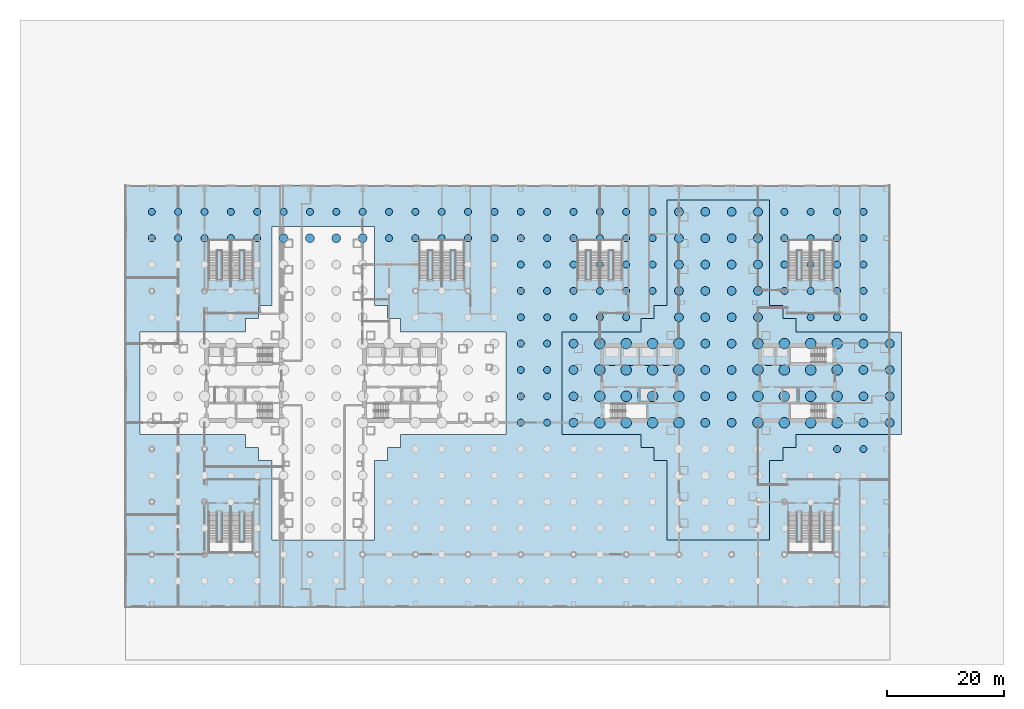
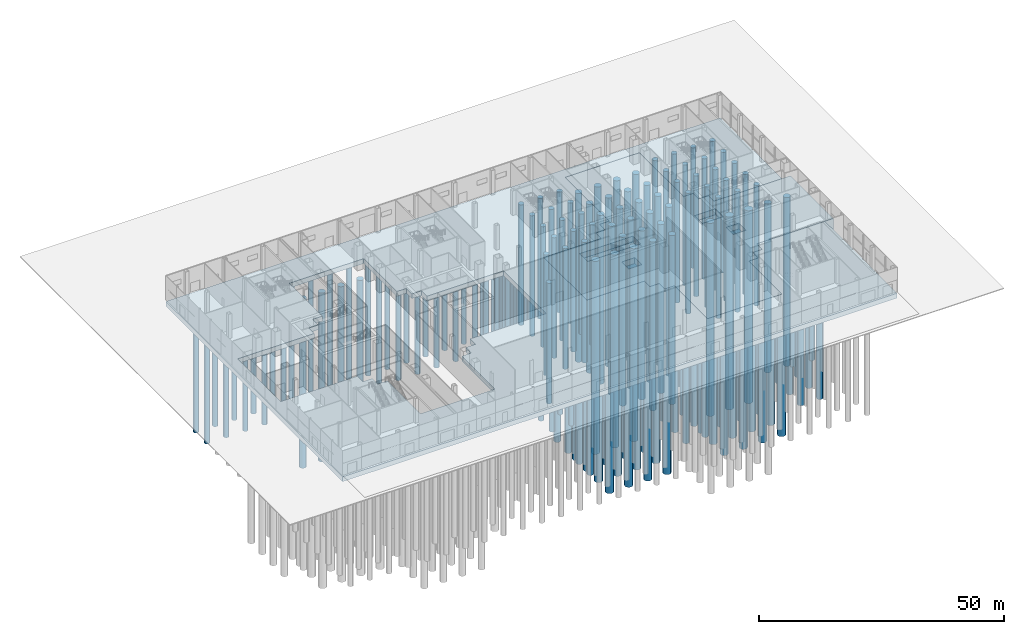
# One storey, part 2 of 37: 158 piles, 6 footings.
"""IFC4 building model written with IfcOpenShell, lengths in metres."""

from ifc_helpers import new_model, si_unit, direction, frame, origin, origin_2d, place, context, subcontext, project, spatial, polyline, circle, outline, extrude, material, layer, layer_set, material_profile, profile_set, type_object, element, save


model = new_model("IFC4")

# Units and contexts
model_context = context("Model", 3, precision=1e-05, world=origin(), true_north=direction((0.0, 1.0)))
body_context = subcontext(model_context, "Body", "Model", "MODEL_VIEW")
ifc_project = project(units=[si_unit("LENGTHUNIT", "METRE"), si_unit("AREAUNIT", "SQUARE_METRE"), si_unit("VOLUMEUNIT", "CUBIC_METRE"), si_unit("PLANEANGLEUNIT", "RADIAN"), si_unit("MASSUNIT", "GRAM", prefix="KILO")], contexts=[model_context])

# Site, building, storey
site_placement = place(None, origin())
site = spatial("IfcSite", under=ifc_project, at=site_placement, CompositionType="ELEMENT")
building_placement = place(site_placement, origin())
building = spatial("IfcBuilding", under=site, at=building_placement, Name="Shamsa Quay Exchange Towers", CompositionType="ELEMENT")
storey_placement = place(building_placement, origin())
storey = spatial("IfcBuildingStorey", under=building, at=storey_placement, Name="L00", CompositionType="ELEMENT", Elevation=0.0)

# Piles
ifc_material = material(Name="Concrete C40/50", Category="concrete")
ifc_material_profile_1 = material_profile(ifc_material, circle(Radius=0.60009765625, at=origin_2d()), Name="BP1200")
ifc_profile_set_1 = profile_set([ifc_material_profile_1], Name="Concrete C40/50")
pile_type_1 = type_object("IfcPileType", Name="Bored pile 1200", PredefinedType="BORED", material=ifc_profile_set_1)
for number, where, z_axis, x_axis, name in (
    (1, (-63.0, 24.75, -1.550048828125), (0.0, 0.0, -1.0), (1.0, 0.0, 0.0), "Bored pile PD1 10"),
    (2, (-63.0, 29.25, -1.550048828125), (0.0, 0.0, -1.0), (1.0, 0.0, 0.0), "Bored pile PD1 11"),
    (3, (-58.5, 24.75, -1.550048828125), (0.0, 0.0, -1.0), (1.0, 0.0, 0.0), "Bored pile PD1 21"),
    (4, (-58.5, 29.25, -1.550048828125), (0.0, 0.0, -1.0), (1.0, 0.0, 0.0), "Bored pile PD1 22"),
    (5, (-54.0, 24.75, -1.550048828125), (0.0, 0.0, -1.0), (1.0, 0.0, 0.0), "Bored pile PD1 32"),
    (6, (-54.0, 29.25, -1.550048828125), (0.0, 0.0, -1.0), (1.0, 0.0, 0.0), "Bored pile PD1 33"),
    (7, (-49.5, 24.75, -1.550048828125), (0.0, 0.0, -1.0), (1.0, 0.0, 0.0), "Bored pile PD1 43"),
    (8, (-49.5, 29.25, -1.550048828125), (0.0, 0.0, -1.0), (1.0, 0.0, 0.0), "Bored pile PD1 44"),
    (9, (-45.0, 24.75, -1.550048828125), (0.0, 0.0, -1.0), (1.0, 0.0, 0.0), "Bored pile PD1 52"),
    (10, (-45.0, 29.25, -1.550048828125), (0.0, 0.0, -1.0), (1.0, 0.0, 0.0), "Bored pile PD1 53"),
    (11, (-40.5, 29.25, -1.550048828125), (0.0, 0.0, -1.0), (1.0, 0.0, 0.0), "Bored pile PD1 56"),
    (12, (-36.0, 29.25, -1.550048828125), (0.0, 0.0, -1.0), (1.0, 0.0, 0.0), "Bored pile PD1 59"),
    (13, (-31.5, 29.25, -1.550048828125), (0.0, 0.0, -1.0), (1.0, 0.0, 0.0), "Bored pile PD1 62"),
    (14, (-27.0, 29.25, -1.550048828125), (0.0, 0.0, -1.0), (1.0, 0.0, 0.0), "Bored pile PD1 65"),
    (15, (-22.5, 24.75, -1.550048828125), (0.0, 0.0, -1.0), (1.0, 0.0, 0.0), "Bored pile PD1 73"),
    (16, (-22.5, 29.25, -1.550048828125), (0.0, 0.0, -1.0), (1.0, 0.0, 0.0), "Bored pile PD1 74"),
    (17, (-18.0, 24.75, -1.550048828125), (0.0, 0.0, -1.0), (1.0, 0.0, 0.0), "Bored pile PD1 84"),
    (18, (-18.0, 29.25, -1.550048828125), (0.0, 0.0, -1.0), (1.0, 0.0, 0.0), "Bored pile PD1 85"),
    (19, (-13.5, 24.75, -1.550048828125), (0.0, 0.0, -1.0), (1.0, 0.0, 0.0), "Bored pile PD1 95"),
    (20, (-13.5, 29.25, -1.550048828125), (0.0, 0.0, -1.0), (1.0, 0.0, 0.0), "Bored pile PD1 96"),
    (21, (-9.0, 24.75, -1.550048828125), (0.0, 0.0, -1.0), (1.0, 0.0, 0.0), "Bored pile PD1 106"),
    (22, (-9.0, 29.25, -1.550048828125), (0.0, 0.0, -1.0), (1.0, 0.0, 0.0), "Bored pile PD1 107"),
    (23, (-4.5, 24.75, -1.550048828125), (0.0, 0.0, -1.0), (1.0, 0.0, 0.0), "Bored pile PD1 117"),
    (24, (-4.5, 29.25, -1.550048828125), (0.0, 0.0, -1.0), (1.0, 0.0, 0.0), "Bored pile PD1 118"),
    (25, (0.0, -6.75, -1.550048828125), (0.0, 0.0, -1.0), (1.0, 0.0, 0.0), "Bored pile PD1 125"),
    (26, (0.0, -2.25, -1.550048828125), (0.0, 0.0, -1.0), (1.0, 0.0, 0.0), "Bored pile PD1 126"),
    (27, (0.0, 2.25, -1.550048828125), (0.0, 0.0, -1.0), (1.0, 0.0, 0.0), "Bored pile PD1 127"),
    (28, (0.0, 6.75, -1.550048828125), (0.0, 0.0, -1.0), (1.0, 0.0, 0.0), "Bored pile PD1 128"),
    (29, (0.0, 11.25, -1.550048828125), (0.0, 0.0, -1.0), (1.0, 0.0, 0.0), "Bored pile PD1 129"),
    (30, (0.0, 15.75, -1.550048828125), (0.0, 0.0, -1.0), (1.0, 0.0, 0.0), "Bored pile PD1 130"),
    (31, (0.0, 20.25, -1.550048828125), (0.0, 0.0, -1.0), (1.0, 0.0, 0.0), "Bored pile PD1 131"),
    (32, (0.0, 24.75, -1.550048828125), (0.0, 0.0, -1.0), (1.0, 0.0, 0.0), "Bored pile PD1 132"),
    (33, (0.0, 29.25, -1.550048828125), (0.0, 0.0, -1.0), (1.0, 0.0, 0.0), "Bored pile PD1 133"),
    (34, (4.5, -6.75, -1.550048828125), (0.0, 0.0, -1.0), (1.0, 0.0, 0.0), "Bored pile PD1 140"),
    (35, (4.5, -2.25, -1.550048828125), (0.0, 0.0, -1.0), (1.0, 0.0, 0.0), "Bored pile PD1 141"),
    (36, (4.5, 2.25, -1.550048828125), (0.0, 0.0, -1.0), (1.0, 0.0, 0.0), "Bored pile PD1 142"),
    (37, (4.5, 6.75, -1.550048828125), (0.0, 0.0, -1.0), (1.0, 0.0, 0.0), "Bored pile PD1 143"),
    (38, (4.5, 11.25, -1.550048828125), (0.0, 0.0, -1.0), (1.0, 0.0, 0.0), "Bored pile PD1 144"),
    (39, (4.5, 15.75, -1.550048828125), (0.0, 0.0, -1.0), (1.0, 0.0, 0.0), "Bored pile PD1 145"),
    (40, (4.5, 20.25, -1.550048828125), (0.0, 0.0, -1.0), (1.0, 0.0, 0.0), "Bored pile PD1 146"),
    (41, (4.5, 24.75, -1.550048828125), (0.0, 0.0, -1.0), (1.0, 0.0, 0.0), "Bored pile PD1 147"),
    (42, (4.5, 29.25, -1.550048828125), (0.0, 0.0, -1.0), (1.0, 0.0, 0.0), "Bored pile PD1 148"),
    (43, (9.0, 11.25, -1.550048828125), (0.0, 0.0, -1.0), (1.0, 0.0, 0.0), "Bored pile PD1 155"),
    (44, (9.0, 15.75, -1.550048828125), (0.0, 0.0, -1.0), (1.0, 0.0, 0.0), "Bored pile PD1 156"),
    (45, (9.0, 20.25, -1.550048828125), (0.0, 0.0, -1.0), (1.0, 0.0, 0.0), "Bored pile PD1 157"),
    (46, (9.0, 24.75, -1.550048828125), (0.0, 0.0, -1.0), (1.0, 0.0, 0.0), "Bored pile PD1 158"),
    (47, (9.0, 29.25, -1.550048828125), (0.0, 0.0, -1.0), (1.0, 0.0, 0.0), "Bored pile PD1 159"),
    (48, (13.5, 11.25, -1.550048828125), (0.0, 0.0, -1.0), (1.0, 0.0, 0.0), "Bored pile PD1 166"),
    (49, (13.5, 15.75, -1.550048828125), (0.0, 0.0, -1.0), (1.0, 0.0, 0.0), "Bored pile PD1 167"),
    (50, (13.5, 20.25, -1.550048828125), (0.0, 0.0, -1.0), (1.0, 0.0, 0.0), "Bored pile PD1 168"),
    (51, (13.5, 24.75, -1.550048828125), (0.0, 0.0, -1.0), (1.0, 0.0, 0.0), "Bored pile PD1 169"),
    (52, (13.5, 29.25, -1.550048828125), (0.0, 0.0, -1.0), (1.0, 0.0, 0.0), "Bored pile PD1 170"),
    (53, (18.0, 11.25, -1.550048828125), (0.0, 0.0, -1.0), (1.0, 0.0, 0.0), "Bored pile PD1 177"),
    (54, (18.0, 15.75, -1.550048828125), (0.0, 0.0, -1.0), (1.0, 0.0, 0.0), "Bored pile PD1 178"),
    (55, (18.0, 20.25, -1.550048828125), (0.0, 0.0, -1.0), (1.0, 0.0, 0.0), "Bored pile PD1 179"),
    (56, (18.0, 24.75, -1.550048828125), (0.0, 0.0, -1.0), (1.0, 0.0, 0.0), "Bored pile PD1 180"),
    (57, (18.0, 29.25, -1.550048828125), (0.0, 0.0, -1.0), (1.0, 0.0, 0.0), "Bored pile PD1 181"),
    (58, (22.5, 15.75, -1.550048828125), (0.0, 0.0, -1.0), (1.0, 0.0, 0.0), "Bored pile PD1 187"),
    (59, (22.5, 20.25, -1.550048828125), (0.0, 0.0, -1.0), (1.0, 0.0, 0.0), "Bored pile PD1 188"),
    (60, (22.5, 24.75, -1.550048828125), (0.0, 0.0, -1.0), (1.0, 0.0, 0.0), "Bored pile PD1 189"),
    (61, (22.5, 29.25, -1.550048828125), (0.0, 0.0, -1.0), (1.0, 0.0, 0.0), "Bored pile PD1 190"),
    (62, (45.0, 15.75, -1.550048828125), (0.0, 0.0, -1.0), (1.0, 0.0, 0.0), "Bored pile PD1 204"),
    (63, (45.0, 20.25, -1.550048828125), (0.0, 0.0, -1.0), (1.0, 0.0, 0.0), "Bored pile PD1 205"),
    (64, (45.0, 24.75, -1.550048828125), (0.0, 0.0, -1.0), (1.0, 0.0, 0.0), "Bored pile PD1 206"),
    (65, (45.0, 29.25, -1.550048828125), (0.0, 0.0, -1.0), (1.0, 0.0, 0.0), "Bored pile PD1 207"),
    (66, (49.5, 11.25, -1.550048828125), (0.0, 0.0, -1.0), (1.0, 0.0, 0.0), "Bored pile PD1 214"),
    (67, (49.5, 15.75, -1.550048828125), (0.0, 0.0, -1.0), (1.0, 0.0, 0.0), "Bored pile PD1 215"),
    (68, (49.5, 20.25, -1.550048828125), (0.0, 0.0, -1.0), (1.0, 0.0, 0.0), "Bored pile PD1 216"),
    (69, (49.5, 24.75, -1.550048828125), (0.0, 0.0, -1.0), (1.0, 0.0, 0.0), "Bored pile PD1 217"),
    (70, (49.5, 29.25, -1.550048828125), (0.0, 0.0, -1.0), (1.0, 0.0, 0.0), "Bored pile PD1 218"),
    (71, (54.0, -11.25, -1.550048828125), (0.0, 0.0, -1.0), (1.0, 0.0, 0.0), "Bored pile PD1 224"),
    (72, (54.0, 11.25, -1.550048828125), (0.0, 0.0, -1.0), (1.0, 0.0, 0.0), "Bored pile PD1 225"),
    (73, (54.0, 15.75, -1.550048828125), (0.0, 0.0, -1.0), (1.0, 0.0, 0.0), "Bored pile PD1 226"),
    (74, (54.0, 20.25, -1.550048828125), (0.0, 0.0, -1.0), (1.0, 0.0, 0.0), "Bored pile PD1 227"),
    (75, (54.0, 24.75, -1.550048828125), (0.0, 0.0, -1.0), (1.0, 0.0, 0.0), "Bored pile PD1 228"),
    (76, (54.0, 29.25, -1.550048828125), (0.0, 0.0, -1.0), (1.0, 0.0, 0.0), "Bored pile PD1 229"),
    (77, (58.5, -11.25, -1.550048828125), (0.0, 0.0, -1.0), (1.0, 0.0, 0.0), "Bored pile PD1 235"),
    (78, (58.5, 11.25, -1.550048828125), (0.0, 0.0, -1.0), (1.0, 0.0, 0.0), "Bored pile PD1 236"),
    (79, (58.5, 15.75, -1.550048828125), (0.0, 0.0, -1.0), (1.0, 0.0, 0.0), "Bored pile PD1 237"),
    (80, (58.5, 20.25, -1.550048828125), (0.0, 0.0, -1.0), (1.0, 0.0, 0.0), "Bored pile PD1 238"),
    (81, (58.5, 24.75, -1.550048828125), (0.0, 0.0, -1.0), (1.0, 0.0, 0.0), "Bored pile PD1 239"),
    (82, (58.5, 29.25, -1.550048828125), (0.0, 0.0, -1.0), (1.0, 0.0, 0.0), "Bored pile PD1 240"),
):
    element("IfcPile", number, at=place(storey_placement, frame(where, z_axis=z_axis, x_axis=x_axis)), inside=storey, type_object=pile_type_1, Name=name, PredefinedType="BORED", context=body_context, shape_type="SweptSolid", body=[
        extrude(circle(Radius=0.60009765625, at=origin_2d()), origin(), (0.0, 0.0, 1.0), 30.0),
    ])
ifc_material_profile_2 = material_profile(ifc_material, circle(Radius=0.75, at=origin_2d()), Name="BP1500")
ifc_profile_set_2 = profile_set([ifc_material_profile_2], Name="Concrete C40/50")
pile_type_2 = type_object("IfcPileType", Name="Bored pile 1500", PredefinedType="BORED", material=ifc_profile_set_2)
for number, where, z_axis, x_axis, name in (
    (83, (-40.5, 24.75, -3.35009765625), (0.0, 0.0, -1.0), (1.0, 0.0, 0.0), "Bored pile T1 32"),
    (84, (-36.0, 24.75, -3.35009765625), (0.0, 0.0, -1.0), (1.0, 0.0, 0.0), "Bored pile T1 44"),
    (85, (-31.5, 24.75, -3.35009765625), (0.0, 0.0, -1.0), (1.0, 0.0, 0.0), "Bored pile T1 56"),
    (86, (-27.0, 24.75, -3.35009765625), (0.0, 0.0, -1.0), (1.0, 0.0, 0.0), "Bored pile T1 68"),
    (87, (9.0, -6.75, -3.35009765625), (0.0, 0.0, -1.0), (1.0, 0.0, 0.0), "Bored pile T2 1"),
    (88, (9.0, -2.25, -3.35009765625), (0.0, 0.0, -1.0), (1.0, 0.0, 0.0), "Bored pile T2 2"),
    (89, (9.0, 2.25, -3.35009765625), (0.0, 0.0, -1.0), (1.0, 0.0, 0.0), "Bored pile T2 3"),
    (90, (9.0, 6.75, -3.35009765625), (0.0, 0.0, -1.0), (1.0, 0.0, 0.0), "Bored pile T2 4"),
    (91, (27.0, 11.25, -3.35009765625), (0.0, 0.0, -1.0), (1.0, 0.0, 0.0), "Bored pile T2 25"),
    (92, (27.0, 15.75, -3.35009765625), (0.0, 0.0, -1.0), (1.0, 0.0, 0.0), "Bored pile T2 26"),
    (93, (27.0, 20.25, -3.35009765625), (0.0, 0.0, -1.0), (1.0, 0.0, 0.0), "Bored pile T2 27"),
    (94, (27.0, 24.75, -3.35009765625), (0.0, 0.0, -1.0), (1.0, 0.0, 0.0), "Bored pile T2 28"),
    (95, (27.0, 29.25, -3.35009765625), (0.0, 0.0, -1.0), (1.0, 0.0, 0.0), "Bored pile T2 29"),
    (96, (31.5, -6.75, -3.35009765625), (0.0, 0.0, -1.0), (1.0, 0.0, 0.0), "Bored pile T2 34"),
    (97, (31.5, -2.25, -3.35009765625), (0.0, 0.0, -1.0), (1.0, 0.0, 0.0), "Bored pile T2 35"),
    (98, (31.5, 2.25, -3.35009765625), (0.0, 0.0, -1.0), (1.0, 0.0, 0.0), "Bored pile T2 36"),
    (99, (31.5, 6.75, -3.35009765625), (0.0, 0.0, -1.0), (1.0, 0.0, 0.0), "Bored pile T2 37"),
    (100, (31.5, 11.25, -3.35009765625), (0.0, 0.0, -1.0), (1.0, 0.0, 0.0), "Bored pile T2 38"),
    (101, (31.5, 15.75, -3.35009765625), (0.0, 0.0, -1.0), (1.0, 0.0, 0.0), "Bored pile T2 39"),
    (102, (31.5, 20.25, -3.35009765625), (0.0, 0.0, -1.0), (1.0, 0.0, 0.0), "Bored pile T2 40"),
    (103, (31.5, 24.75, -3.35009765625), (0.0, 0.0, -1.0), (1.0, 0.0, 0.0), "Bored pile T2 41"),
    (104, (31.5, 29.25, -3.35009765625), (0.0, 0.0, -1.0), (1.0, 0.0, 0.0), "Bored pile T2 42"),
    (105, (36.0, -6.75, -3.35009765625), (0.0, 0.0, -1.0), (1.0, 0.0, 0.0), "Bored pile T2 47"),
    (106, (36.0, -2.25, -3.35009765625), (0.0, 0.0, -1.0), (1.0, 0.0, 0.0), "Bored pile T2 48"),
    (107, (36.0, 2.25, -3.35009765625), (0.0, 0.0, -1.0), (1.0, 0.0, 0.0), "Bored pile T2 49"),
    (108, (36.0, 6.75, -3.35009765625), (0.0, 0.0, -1.0), (1.0, 0.0, 0.0), "Bored pile T2 50"),
    (109, (36.0, 11.25, -3.35009765625), (0.0, 0.0, -1.0), (1.0, 0.0, 0.0), "Bored pile T2 51"),
    (110, (36.0, 15.75, -3.35009765625), (0.0, 0.0, -1.0), (1.0, 0.0, 0.0), "Bored pile T2 52"),
    (111, (36.0, 20.25, -3.35009765625), (0.0, 0.0, -1.0), (1.0, 0.0, 0.0), "Bored pile T2 53"),
    (112, (36.0, 24.75, -3.35009765625), (0.0, 0.0, -1.0), (1.0, 0.0, 0.0), "Bored pile T2 54"),
    (113, (36.0, 29.25, -3.35009765625), (0.0, 0.0, -1.0), (1.0, 0.0, 0.0), "Bored pile T2 55"),
    (114, (40.5, 11.25, -3.35009765625), (0.0, 0.0, -1.0), (1.0, 0.0, 0.0), "Bored pile T2 64"),
    (115, (40.5, 15.75, -3.35009765625), (0.0, 0.0, -1.0), (1.0, 0.0, 0.0), "Bored pile T2 65"),
    (116, (40.5, 20.25, -3.35009765625), (0.0, 0.0, -1.0), (1.0, 0.0, 0.0), "Bored pile T2 66"),
    (117, (40.5, 24.75, -3.35009765625), (0.0, 0.0, -1.0), (1.0, 0.0, 0.0), "Bored pile T2 67"),
    (118, (40.5, 29.25, -3.35009765625), (0.0, 0.0, -1.0), (1.0, 0.0, 0.0), "Bored pile T2 68"),
    (119, (58.5, -6.75, -3.35009765625), (0.0, 0.0, -1.0), (1.0, 0.0, 0.0), "Bored pile T2 81"),
    (120, (58.5, -2.25, -3.35009765625), (0.0, 0.0, -1.0), (1.0, 0.0, 0.0), "Bored pile T2 82"),
    (121, (58.5, 2.25, -3.35009765625), (0.0, 0.0, -1.0), (1.0, 0.0, 0.0), "Bored pile T2 83"),
    (122, (58.5, 6.75, -3.35009765625), (0.0, 0.0, -1.0), (1.0, 0.0, 0.0), "Bored pile T2 84"),
    (123, (63.0, -6.75, -3.35009765625), (0.0, 0.0, -1.0), (1.0, 0.0, 0.0), "Bored pile T2 85"),
    (124, (63.0, -2.25, -3.35009765625), (0.0, 0.0, -1.0), (1.0, 0.0, 0.0), "Bored pile T2 86"),
    (125, (63.0, 2.25, -3.35009765625), (0.0, 0.0, -1.0), (1.0, 0.0, 0.0), "Bored pile T2 87"),
    (126, (63.0, 6.75, -3.35009765625), (0.0, 0.0, -1.0), (1.0, 0.0, 0.0), "Bored pile T2 88"),
):
    element("IfcPile", number, at=place(storey_placement, frame(where, z_axis=z_axis, x_axis=x_axis)), inside=storey, type_object=pile_type_2, Name=name, PredefinedType="BORED", context=body_context, shape_type="SweptSolid", body=[
        extrude(circle(Radius=0.75, at=origin_2d()), origin(), (0.0, 0.0, 1.0), 42.0),
    ])
ifc_material_profile_3 = material_profile(ifc_material, circle(Radius=0.89990234375, at=origin_2d()), Name="BP1800")
ifc_profile_set_3 = profile_set([ifc_material_profile_3], Name="Concrete C40/50")
pile_type_3 = type_object("IfcPileType", Name="Bored pile 1800", PredefinedType="BORED", material=ifc_profile_set_3)
for number, where, z_axis, x_axis, name in (
    (127, (13.5, -6.75, -3.35009765625), (0.0, 0.0, -1.0), (1.0, 0.0, 0.0), "Bored pile T2 5"),
    (128, (13.5, -2.25, -3.35009765625), (0.0, 0.0, -1.0), (1.0, 0.0, 0.0), "Bored pile T2 6"),
    (129, (13.5, 2.25, -3.35009765625), (0.0, 0.0, -1.0), (1.0, 0.0, 0.0), "Bored pile T2 7"),
    (130, (13.5, 6.75, -3.35009765625), (0.0, 0.0, -1.0), (1.0, 0.0, 0.0), "Bored pile T2 8"),
    (131, (18.0, -6.75, -3.35009765625), (0.0, 0.0, -1.0), (1.0, 0.0, 0.0), "Bored pile T2 9"),
    (132, (18.0, -2.25, -3.35009765625), (0.0, 0.0, -1.0), (1.0, 0.0, 0.0), "Bored pile T2 10"),
    (133, (18.0, 2.25, -3.35009765625), (0.0, 0.0, -1.0), (1.0, 0.0, 0.0), "Bored pile T2 11"),
    (134, (18.0, 6.75, -3.35009765625), (0.0, 0.0, -1.0), (1.0, 0.0, 0.0), "Bored pile T2 12"),
    (135, (22.5, -6.75, -3.35009765625), (0.0, 0.0, -1.0), (1.0, 0.0, 0.0), "Bored pile T2 13"),
    (136, (22.5, -2.25, -3.35009765625), (0.0, 0.0, -1.0), (1.0, 0.0, 0.0), "Bored pile T2 14"),
    (137, (22.5, 2.25, -3.35009765625), (0.0, 0.0, -1.0), (1.0, 0.0, 0.0), "Bored pile T2 15"),
    (138, (22.5, 6.75, -3.35009765625), (0.0, 0.0, -1.0), (1.0, 0.0, 0.0), "Bored pile T2 16"),
    (139, (27.0, -6.75, -3.35009765625), (0.0, 0.0, -1.0), (1.0, 0.0, 0.0), "Bored pile T2 21"),
    (140, (27.0, -2.25, -3.35009765625), (0.0, 0.0, -1.0), (1.0, 0.0, 0.0), "Bored pile T2 22"),
    (141, (27.0, 2.25, -3.35009765625), (0.0, 0.0, -1.0), (1.0, 0.0, 0.0), "Bored pile T2 23"),
    (142, (27.0, 6.75, -3.35009765625), (0.0, 0.0, -1.0), (1.0, 0.0, 0.0), "Bored pile T2 24"),
    (143, (40.5, -6.75, -3.35009765625), (0.0, 0.0, -1.0), (1.0, 0.0, 0.0), "Bored pile T2 60"),
    (144, (40.5, -2.25, -3.35009765625), (0.0, 0.0, -1.0), (1.0, 0.0, 0.0), "Bored pile T2 61"),
    (145, (40.5, 2.25, -3.35009765625), (0.0, 0.0, -1.0), (1.0, 0.0, 0.0), "Bored pile T2 62"),
    (146, (40.5, 6.75, -3.35009765625), (0.0, 0.0, -1.0), (1.0, 0.0, 0.0), "Bored pile T2 63"),
    (147, (45.0, -6.75, -3.35009765625), (0.0, 0.0, -1.0), (1.0, 0.0, 0.0), "Bored pile T2 69"),
    (148, (45.0, -2.25, -3.35009765625), (0.0, 0.0, -1.0), (1.0, 0.0, 0.0), "Bored pile T2 70"),
    (149, (45.0, 2.25, -3.35009765625), (0.0, 0.0, -1.0), (1.0, 0.0, 0.0), "Bored pile T2 71"),
    (150, (45.0, 6.75, -3.35009765625), (0.0, 0.0, -1.0), (1.0, 0.0, 0.0), "Bored pile T2 72"),
    (151, (49.5, -6.75, -3.35009765625), (0.0, 0.0, -1.0), (1.0, 0.0, 0.0), "Bored pile T2 73"),
    (152, (49.5, -2.25, -3.35009765625), (0.0, 0.0, -1.0), (1.0, 0.0, 0.0), "Bored pile T2 74"),
    (153, (49.5, 2.25, -3.35009765625), (0.0, 0.0, -1.0), (1.0, 0.0, 0.0), "Bored pile T2 75"),
    (154, (49.5, 6.75, -3.35009765625), (0.0, 0.0, -1.0), (1.0, 0.0, 0.0), "Bored pile T2 76"),
    (155, (54.0, -6.75, -3.35009765625), (0.0, 0.0, -1.0), (1.0, 0.0, 0.0), "Bored pile T2 77"),
    (156, (54.0, -2.25, -3.35009765625), (0.0, 0.0, -1.0), (1.0, 0.0, 0.0), "Bored pile T2 78"),
    (157, (54.0, 2.25, -3.35009765625), (0.0, 0.0, -1.0), (1.0, 0.0, 0.0), "Bored pile T2 79"),
    (158, (54.0, 6.75, -3.35009765625), (0.0, 0.0, -1.0), (1.0, 0.0, 0.0), "Bored pile T2 80"),
):
    element("IfcPile", number, at=place(storey_placement, frame(where, z_axis=z_axis, x_axis=x_axis)), inside=storey, type_object=pile_type_3, Name=name, PredefinedType="BORED", context=body_context, shape_type="SweptSolid", body=[
        extrude(circle(Radius=0.89990234375, at=origin_2d()), origin(), (0.0, 0.0, 1.0), 48.0),
    ])

# Footings
ifc_layer_1 = layer(ifc_material, 1.550048828125)
ifc_layer_set_1 = layer_set([ifc_layer_1], Name="Lift pit slab 1550")
footing_type_1 = type_object("IfcFootingType", Name="Lift pit slab 1550", PredefinedType="USERDEFINED", material=ifc_layer_set_1)
footing_1_placement = place(storey_placement, frame((0.0, 0.0, -3.35009765625)))
element("IfcFooting", 159, at=footing_1_placement, inside=storey, type_object=footing_type_1, Name="Lift pit slab T2A-1", ObjectType="RAFT", PredefinedType="USERDEFINED", context=body_context, shape_type="SweptSolid", body=[
    extrude(outline(polyline([(14.0, 6.25), (14.0, 3.050048828125), (26.5, 3.050048828125), (26.5, 6.25), (14.0, 6.25)])), origin(), (0.0, 0.0, 1.0), 1.550048828125),
])
footing_2_placement = place(storey_placement, frame((0.0, 0.0, -3.35009765625)))
element("IfcFooting", 160, at=footing_2_placement, inside=storey, type_object=footing_type_1, Name="Lift pit slab T2A-2", ObjectType="RAFT", PredefinedType="USERDEFINED", context=body_context, shape_type="SweptSolid", body=[
    extrude(outline(polyline([(23.0, -0.550048828125), (19.949951171875, -0.550048828125), (19.949951171875, -3.449951171875), (23.0, -3.449951171875), (23.0, -0.550048828125)])), origin(), (0.0, 0.0, 1.0), 1.550048828125),
])
footing_3_placement = place(storey_placement, frame((0.0, 0.0, -3.35009765625)))
element("IfcFooting", 161, at=footing_3_placement, inside=storey, type_object=footing_type_1, Name="Lift pit slab T2B-1", ObjectType="RAFT", PredefinedType="USERDEFINED", context=body_context, shape_type="SweptSolid", body=[
    extrude(outline(polyline([(41.0, 3.050048828125), (45.949951171875, 3.050048828125), (45.949951171875, 6.25), (41.0, 6.25), (41.0, 3.050048828125)])), origin(), (0.0, 0.0, 1.0), 1.550048828125),
])
footing_4_placement = place(storey_placement, frame((0.0, 0.0, -3.35009765625)))
element("IfcFooting", 162, at=footing_4_placement, inside=storey, type_object=footing_type_1, Name="Lift pit slab T2B-2", ObjectType="RAFT", PredefinedType="USERDEFINED", context=body_context, shape_type="SweptSolid", body=[
    extrude(outline(polyline([(44.5, -3.449951171875), (47.550048828125, -3.449951171875), (47.550048828125, -0.550048828125), (44.5, -0.550048828125), (44.5, -3.449951171875)])), origin(), (0.0, 0.0, 1.0), 1.550048828125),
])
ifc_layer_2 = layer(ifc_material, 1.199951171875)
ifc_layer_set_2 = layer_set([ifc_layer_2], Name="Piled raft 1200")
footing_type_2 = type_object("IfcFootingType", Name="Piled raft 1200", PredefinedType="USERDEFINED", material=ifc_layer_set_2)
footing_5_placement = place(storey_placement, frame((0.0, 0.0, -1.550048828125)))
element("IfcFooting", 163, at=footing_5_placement, inside=storey, type_object=footing_type_2, Name="Piled raft PD1", ObjectType="RAFT", PredefinedType="USERDEFINED", context=body_context, shape_type="SweptSolid", body=[
    extrude(outline(polyline([(63.0, -38.25), (63.0, -8.75), (47.0, -8.75), (47.0, -11.0), (44.75, -11.0), (44.75, -13.25), (42.5, -13.25), (42.5, -26.75), (25.0, -26.75), (25.0, -13.25), (22.75, -13.25), (22.75, -11.0), (20.5, -11.0), (20.5, -8.75), (7.0, -8.75), (7.0, 8.75), (20.5, 8.75), (20.5, 11.0), (22.75, 11.0), (22.75, 13.25), (25.0, 13.25), (25.0, 31.25), (42.5, 31.25), (42.5, 13.25), (44.75, 13.25), (44.75, 11.0), (47.0, 11.0), (47.0, 8.75), (63.0, 8.75), (63.0, 33.75), (-67.5, 33.75), (-67.5, -38.25), (63.0, -38.25)]), holes=[polyline([(-44.75, -11.0), (-44.75, -13.25), (-42.5, -13.25), (-42.5, -26.75), (-25.0, -26.75), (-25.0, -13.25), (-22.75, -13.25), (-22.75, -11.0), (-20.5, -11.0), (-20.5, -8.75), (-2.5, -8.75), (-2.5, 8.75), (-20.5, 8.75), (-20.5, 11.0), (-22.75, 11.0), (-22.75, 13.25), (-25.0, 13.25), (-25.0, 26.75), (-42.5, 26.75), (-42.5, 13.25), (-44.75, 13.25), (-44.75, 11.0), (-47.0, 11.0), (-47.0, 8.75), (-65.0, 8.75), (-65.0, -8.75), (-47.0, -8.75), (-47.0, -11.0), (-44.75, -11.0)])]), origin(), (0.0, 0.0, 1.0), 1.199951171875),
])
ifc_layer_3 = layer(ifc_material, 3.0)
ifc_layer_set_3 = layer_set([ifc_layer_3], Name="Piled raft 3000")
footing_type_3 = type_object("IfcFootingType", Name="Piled raft 3000", PredefinedType="USERDEFINED", material=ifc_layer_set_3)
footing_6_placement = place(storey_placement, frame((0.0, 0.0, -3.35009765625)))
element("IfcFooting", 164, at=footing_6_placement, inside=storey, type_object=footing_type_3, Name="Piled raft T2", ObjectType="RAFT", PredefinedType="USERDEFINED", context=body_context, shape_type="SweptSolid", body=[
    extrude(outline(polyline([(44.75, -13.25), (44.75, -11.0), (47.0, -11.0), (47.0, -8.75), (65.0, -8.75), (65.0, 8.75), (47.0, 8.75), (47.0, 11.0), (44.75, 11.0), (44.75, 13.25), (42.5, 13.25), (42.5, 31.25), (25.0, 31.25), (25.0, 13.25), (22.75, 13.25), (22.75, 11.0), (20.5, 11.0), (20.5, 8.75), (7.0, 8.75), (7.0, -8.75), (20.5, -8.75), (20.5, -11.0), (22.75, -11.0), (22.75, -13.25), (25.0, -13.25), (25.0, -26.75), (42.5, -26.75), (42.5, -13.25), (44.75, -13.25)]), holes=[polyline([(19.949951171875, -3.449951171875), (23.0, -3.449951171875), (23.0, -0.550048828125), (19.949951171875, -0.550048828125), (19.949951171875, -3.449951171875)]), polyline([(47.550048828125, -0.550048828125), (44.5, -0.550048828125), (44.5, -3.449951171875), (47.550048828125, -3.449951171875), (47.550048828125, -0.550048828125)]), polyline([(26.5, 3.050048828125), (26.5, 6.25), (14.0, 6.25), (14.0, 3.050048828125), (26.5, 3.050048828125)]), polyline([(45.949951171875, 6.25), (41.0, 6.25), (41.0, 3.050048828125), (45.949951171875, 3.050048828125), (45.949951171875, 6.25)])]), origin(), (0.0, 0.0, 1.0), 3.0),
])

save(model, "model.ifc")
